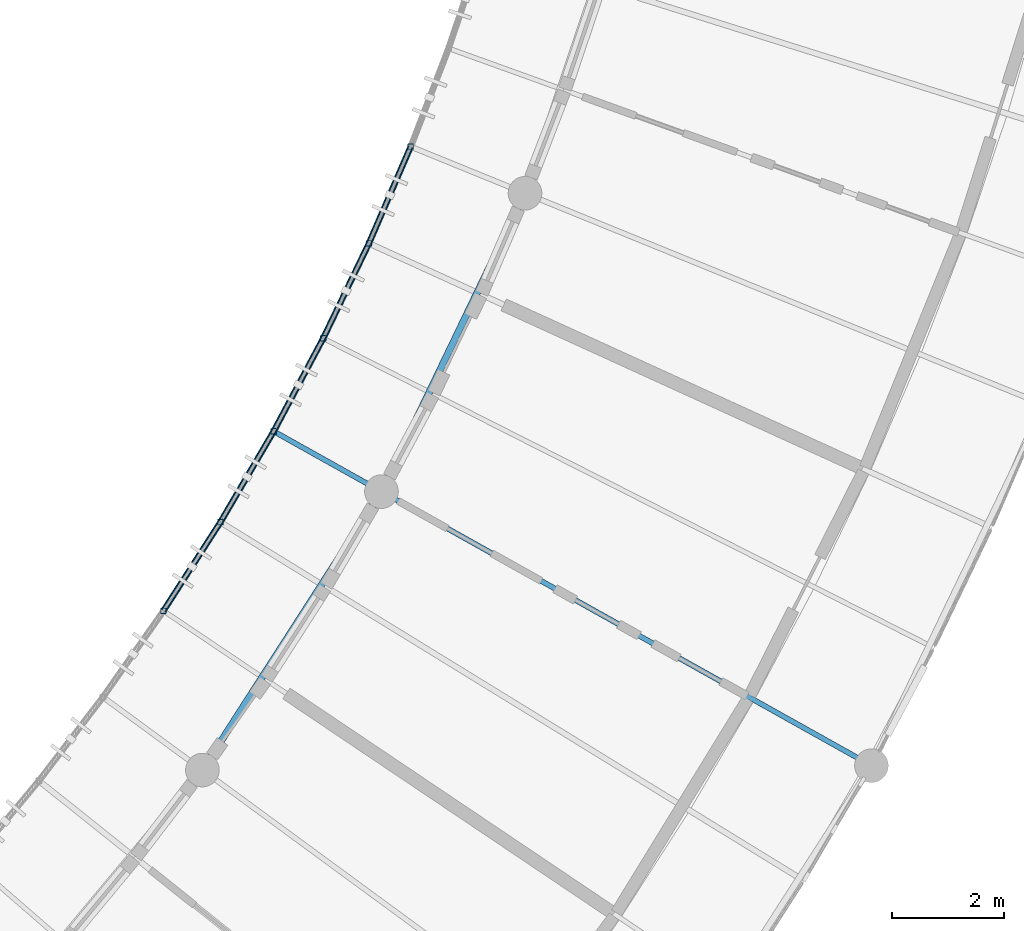
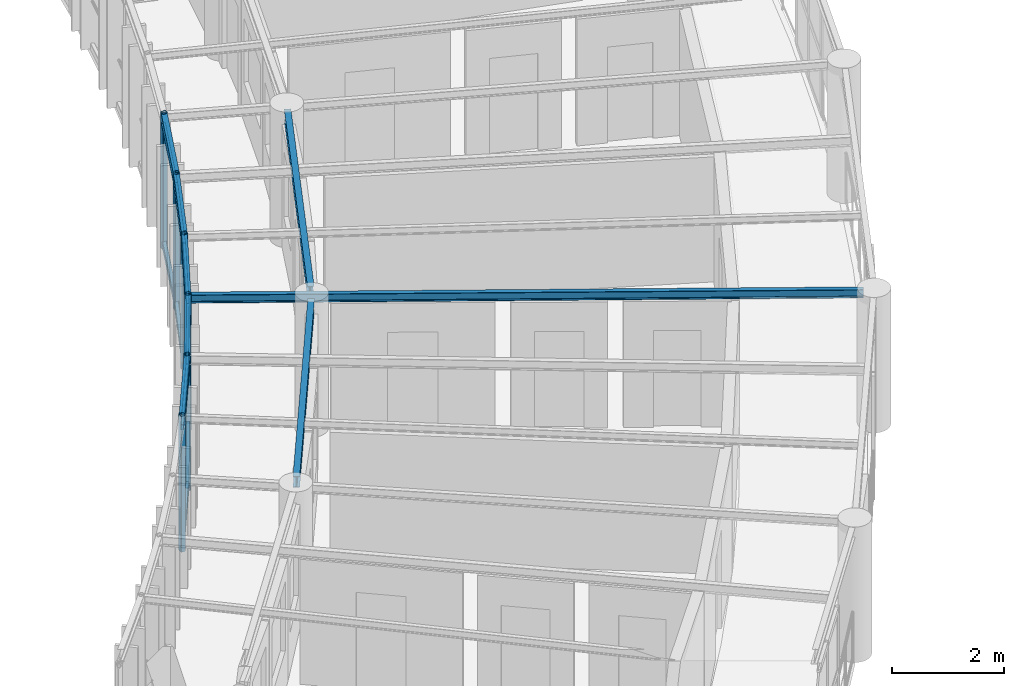
# One storey, part 14 of 101: 16 members, 8 beams.
"""IFC4 building model written with IfcOpenShell, lengths in metres."""

from ifc_helpers import new_model, si_unit, direction, frame, origin, origin_2d, place, context, subcontext, project, spatial, hollow_rectangle, i_section, extrude, material, material_profile, profile_set, type_object, element, save


model = new_model("IFC4")

# Units and contexts
model_context = context("Model", 3, precision=1e-05, world=origin(), true_north=direction((0.0, 1.0)))
body_context = subcontext(model_context, "Body", "Model", "MODEL_VIEW")
ifc_project = project(units=[si_unit("LENGTHUNIT", "METRE"), si_unit("AREAUNIT", "SQUARE_METRE"), si_unit("VOLUMEUNIT", "CUBIC_METRE"), si_unit("PLANEANGLEUNIT", "RADIAN"), si_unit("MASSUNIT", "GRAM", prefix="KILO"), si_unit("POWERUNIT", "WATT"), si_unit("THERMODYNAMICTEMPERATUREUNIT", "KELVIN")], contexts=[model_context])

# Site, building, storey
site_placement = place(None, origin())
site = spatial("IfcSite", under=ifc_project, at=site_placement, CompositionType="ELEMENT")
building_placement = place(site_placement, origin())
building = spatial("IfcBuilding", under=site, at=building_placement, Name="Ruvembo Vaulted Housing Court", CompositionType="ELEMENT")
storey_placement = place(building_placement, frame((0.0, 0.0, 17.300048828125)))
storey = spatial("IfcBuildingStorey", under=building, at=storey_placement, Name="L05", CompositionType="ELEMENT", Elevation=17.300048828125)

# Beams
ifc_material = material(Name="Steel S355J2", Category="steel")
ifc_material_profile_1 = material_profile(ifc_material, i_section(OverallWidth=0.091064453125, OverallDepth=0.179931640625, WebThickness=0.00537109375, FlangeThickness=0.008056640625, FilletRadius=0.009033203125, at=origin_2d()), Name="IPE 180")
ifc_profile_set_1 = profile_set([ifc_material_profile_1], Name="Steel S355J2")
beam_type_1 = type_object("IfcBeamType", Name="BM-ST-IPE180", PredefinedType="JOIST", material=ifc_profile_set_1)
beam_1_placement = place(storey_placement, frame((52.455078125, 45.781494140625, 2.842041015625), z_axis=(-0.872779506207, 0.488114672537, 0.0), x_axis=(-0.488114672537, -0.872779506207, 0.0)))
element("IfcBeam", 1, at=beam_1_placement, inside=storey, type_object=beam_type_1, Name="Scoop SC1 L05 Radial Steel Joist 6", PredefinedType="JOIST", context=body_context, shape_type="SweptSolid", body=[
    extrude(i_section(OverallWidth=0.091064453125, OverallDepth=0.179931640625, WebThickness=0.00537109375, FlangeThickness=0.008056640625, FilletRadius=0.009033203125, at=origin_2d()), origin(), (0.0, 0.0, 1.0), 12.050048828125),
])
ifc_material_profile_2 = material_profile(ifc_material, i_section(OverallWidth=0.110107421875, OverallDepth=0.219970703125, WebThickness=0.005859375, FlangeThickness=0.00927734375, FilletRadius=0.011962890625, at=origin_2d()), Name="IPE 220")
ifc_profile_set_2 = profile_set([ifc_material_profile_2], Name="Steel S355J2")
beam_type_2 = type_object("IfcBeamType", Name="BM-ST-IPE220", PredefinedType="SPANDREL", material=ifc_profile_set_2)
beam_2_placement = place(storey_placement, frame((40.0087890625, 48.446533203125, 2.822021484375), z_axis=(0.540783890821, 0.841161567969, 0.0), x_axis=(-0.841161567969, 0.540783890821, 0.0)))
element("IfcBeam", 2, at=beam_2_placement, inside=storey, type_object=beam_type_2, Name="Scoop SC1 L05 Balcony Edge Spandrel 4", PredefinedType="SPANDREL", context=body_context, shape_type="SweptSolid", body=[
    extrude(i_section(OverallWidth=0.110107421875, OverallDepth=0.219970703125, WebThickness=0.005859375, FlangeThickness=0.00927734375, FilletRadius=0.011962890625, at=origin_2d()), origin(), (0.0, 0.0, 1.0), 1.876708984375),
])
beam_3_placement = place(storey_placement, frame((41.023681640625, 50.025146484375, 2.822021484375), z_axis=(0.505859733288, 0.862615748893, 0.0), x_axis=(-0.862615748893, 0.505859733288, 0.0)))
element("IfcBeam", 3, at=beam_3_placement, inside=storey, type_object=beam_type_2, Name="Scoop SC1 L05 Balcony Edge Spandrel 5", PredefinedType="SPANDREL", context=body_context, shape_type="SweptSolid", body=[
    extrude(i_section(OverallWidth=0.110107421875, OverallDepth=0.219970703125, WebThickness=0.005859375, FlangeThickness=0.00927734375, FilletRadius=0.011962890625, at=origin_2d()), origin(), (0.0, 0.0, 1.0), 1.87646484375),
])
beam_4_placement = place(storey_placement, frame((41.972900390625, 51.643798828125, 2.822021484375), z_axis=(0.470115552325, 0.882604876183, 0.0), x_axis=(-0.882604876183, 0.470115552325, 0.0)))
element("IfcBeam", 4, at=beam_4_placement, inside=storey, type_object=beam_type_2, Name="Scoop SC1 L05 Balcony Edge Spandrel 6", PredefinedType="SPANDREL", context=body_context, shape_type="SweptSolid", body=[
    extrude(i_section(OverallWidth=0.110107421875, OverallDepth=0.219970703125, WebThickness=0.005859375, FlangeThickness=0.00927734375, FilletRadius=0.011962890625, at=origin_2d()), origin(), (0.0, 0.0, 1.0), 1.876708984375),
])
for number, where, z_axis, x_axis, name in (
    (5, (42.855224609375, 53.30029296875, 2.822021484375), (0.433631756601, 0.901090172883, 0.0), (-0.901090172883, 0.433631756601, 0.0), "Scoop SC1 L05 Balcony Edge Spandrel 7"),
    (6, (43.6689453125, 54.9912109375, 2.822021484375), (0.396288974503, 0.918125834887, 0.0), (-0.918125834887, 0.396288974503, 0.0), "Scoop SC1 L05 Balcony Edge Spandrel 8"),
):
    element("IfcBeam", number, at=place(storey_placement, frame(where, z_axis=z_axis, x_axis=x_axis)), inside=storey, type_object=beam_type_2, Name=name, PredefinedType="SPANDREL", context=body_context, shape_type="SweptSolid", body=[
        extrude(i_section(OverallWidth=0.110107421875, OverallDepth=0.219970703125, WebThickness=0.005859375, FlangeThickness=0.00927734375, FilletRadius=0.011962890625, at=origin_2d()), origin(), (0.0, 0.0, 1.0), 1.87646484375),
    ])
ifc_material_profile_3 = material_profile(ifc_material, i_section(OverallWidth=0.1201171875, OverallDepth=0.239990234375, WebThickness=0.006103515625, FlangeThickness=0.009765625, FilletRadius=0.014892578125, at=origin_2d()), Name="IPE 240")
ifc_profile_set_3 = profile_set([ifc_material_profile_3], Name="Steel S355J2")
beam_type_3 = type_object("IfcBeamType", Name="BM-ST-IPE240", PredefinedType="BEAM", material=ifc_profile_set_3)
beam_5_placement = place(storey_placement, frame((40.806884765625, 45.76953125, 2.81396484375), z_axis=(0.540775484227, 0.84116697252, 0.0), x_axis=(-0.84116697252, 0.540775484227, 0.0)))
element("IfcBeam", 7, at=beam_5_placement, inside=storey, type_object=beam_type_3, Name="Scoop SC1 L05 Chord Girder F3", PredefinedType="BEAM", context=body_context, shape_type="SweptSolid", body=[
    extrude(i_section(OverallWidth=0.1201171875, OverallDepth=0.239990234375, WebThickness=0.006103515625, FlangeThickness=0.009765625, FilletRadius=0.014892578125, at=origin_2d()), origin(), (0.0, 0.0, 1.0), 5.516845703125),
])
beam_6_placement = place(storey_placement, frame((43.9755859375, 50.7412109375, 2.81396484375), z_axis=(0.433585422929, 0.901112468576, 0.0), x_axis=(-0.901112468576, 0.433585422929, 0.0)))
element("IfcBeam", 8, at=beam_6_placement, inside=storey, type_object=beam_type_3, Name="Scoop SC1 L05 Chord Girder F6", PredefinedType="BEAM", context=body_context, shape_type="SweptSolid", body=[
    extrude(i_section(OverallWidth=0.1201171875, OverallDepth=0.239990234375, WebThickness=0.006103515625, FlangeThickness=0.009765625, FilletRadius=0.014892578125, at=origin_2d()), origin(), (0.0, 0.0, 1.0), 5.51708984375),
])

# Members
ifc_material_profile_4 = material_profile(ifc_material, hollow_rectangle(XDim=0.06005859375, YDim=0.1201171875, WallThickness=0.0048828125, InnerFilletRadius=0.0048828125, OuterFilletRadius=0.010009765625, at=origin_2d()), Name="RHS 120x60x5")
ifc_profile_set_4 = profile_set([ifc_material_profile_4], Name="Steel S355J2")
member_type_1 = type_object("IfcMemberType", Name="MEM-CAR-RHS120", PredefinedType="CHORD", material=ifc_profile_set_4)
member_1_placement = place(storey_placement, frame((40.0087890625, 48.446533203125, 2.655029296875), z_axis=(0.540783890821, 0.841161567969, 0.0), x_axis=(-0.841161567969, 0.540783890821, 0.0)))
element("IfcMember", 9, at=member_1_placement, inside=storey, type_object=member_type_1, Name="Scoop SC1 L05 Upper Louvre Carrier Rail 4", PredefinedType="CHORD", context=body_context, shape_type="SweptSolid", body=[
    extrude(hollow_rectangle(XDim=0.06005859375, YDim=0.1201171875, WallThickness=0.0048828125, InnerFilletRadius=0.0048828125, OuterFilletRadius=0.010009765625, at=origin_2d()), origin(), (0.0, 0.0, 1.0), 1.876708984375),
])
member_2_placement = place(storey_placement, frame((41.023681640625, 50.025146484375, 2.655029296875), z_axis=(0.505859733288, 0.862615748893, 0.0), x_axis=(-0.862615748893, 0.505859733288, 0.0)))
element("IfcMember", 10, at=member_2_placement, inside=storey, type_object=member_type_1, Name="Scoop SC1 L05 Upper Louvre Carrier Rail 5", PredefinedType="CHORD", context=body_context, shape_type="SweptSolid", body=[
    extrude(hollow_rectangle(XDim=0.06005859375, YDim=0.1201171875, WallThickness=0.0048828125, InnerFilletRadius=0.0048828125, OuterFilletRadius=0.010009765625, at=origin_2d()), origin(), (0.0, 0.0, 1.0), 1.87646484375),
])
member_3_placement = place(storey_placement, frame((41.972900390625, 51.643798828125, 2.655029296875), z_axis=(0.470115552325, 0.882604876183, 0.0), x_axis=(-0.882604876183, 0.470115552325, 0.0)))
element("IfcMember", 11, at=member_3_placement, inside=storey, type_object=member_type_1, Name="Scoop SC1 L05 Upper Louvre Carrier Rail 6", PredefinedType="CHORD", context=body_context, shape_type="SweptSolid", body=[
    extrude(hollow_rectangle(XDim=0.06005859375, YDim=0.1201171875, WallThickness=0.0048828125, InnerFilletRadius=0.0048828125, OuterFilletRadius=0.010009765625, at=origin_2d()), origin(), (0.0, 0.0, 1.0), 1.876708984375),
])
for number, where, z_axis, x_axis, name in (
    (12, (42.855224609375, 53.30029296875, 2.655029296875), (0.433631756601, 0.901090172883, 0.0), (-0.901090172883, 0.433631756601, 0.0), "Scoop SC1 L05 Upper Louvre Carrier Rail 7"),
    (13, (43.6689453125, 54.9912109375, 2.655029296875), (0.396288974503, 0.918125834887, 0.0), (-0.918125834887, 0.396288974503, 0.0), "Scoop SC1 L05 Upper Louvre Carrier Rail 8"),
):
    element("IfcMember", number, at=place(storey_placement, frame(where, z_axis=z_axis, x_axis=x_axis)), inside=storey, type_object=member_type_1, Name=name, PredefinedType="CHORD", context=body_context, shape_type="SweptSolid", body=[
        extrude(hollow_rectangle(XDim=0.06005859375, YDim=0.1201171875, WallThickness=0.0048828125, InnerFilletRadius=0.0048828125, OuterFilletRadius=0.010009765625, at=origin_2d()), origin(), (0.0, 0.0, 1.0), 1.87646484375),
    ])
ifc_material_profile_5 = material_profile(ifc_material, hollow_rectangle(XDim=0.080078125, YDim=0.14990234375, WallThickness=0.00634765625, InnerFilletRadius=0.00634765625, OuterFilletRadius=0.0126953125, at=origin_2d()), Name="RHS 150x80x6.3")
ifc_profile_set_5 = profile_set([ifc_material_profile_5], Name="Steel S355J2")
member_type_2 = type_object("IfcMemberType", Name="MEM-CAR-RHS150", PredefinedType="CHORD", material=ifc_profile_set_5)
member_4_placement = place(storey_placement, frame((40.0087890625, 48.446533203125, 0.094970703125), z_axis=(0.540783890821, 0.841161567969, 0.0), x_axis=(-0.841161567969, 0.540783890821, 0.0)))
element("IfcMember", 14, at=member_4_placement, inside=storey, type_object=member_type_2, Name="Scoop SC1 L05 Lower Louvre Carrier Rail 4", PredefinedType="CHORD", context=body_context, shape_type="SweptSolid", body=[
    extrude(hollow_rectangle(XDim=0.080078125, YDim=0.14990234375, WallThickness=0.00634765625, InnerFilletRadius=0.00634765625, OuterFilletRadius=0.0126953125, at=origin_2d()), origin(), (0.0, 0.0, 1.0), 1.876708984375),
])
member_5_placement = place(storey_placement, frame((41.023681640625, 50.025146484375, 0.094970703125), z_axis=(0.505859733288, 0.862615748893, 0.0), x_axis=(-0.862615748893, 0.505859733288, 0.0)))
element("IfcMember", 15, at=member_5_placement, inside=storey, type_object=member_type_2, Name="Scoop SC1 L05 Lower Louvre Carrier Rail 5", PredefinedType="CHORD", context=body_context, shape_type="SweptSolid", body=[
    extrude(hollow_rectangle(XDim=0.080078125, YDim=0.14990234375, WallThickness=0.00634765625, InnerFilletRadius=0.00634765625, OuterFilletRadius=0.0126953125, at=origin_2d()), origin(), (0.0, 0.0, 1.0), 1.87646484375),
])
member_6_placement = place(storey_placement, frame((41.972900390625, 51.643798828125, 0.094970703125), z_axis=(0.470115552325, 0.882604876183, 0.0), x_axis=(-0.882604876183, 0.470115552325, 0.0)))
element("IfcMember", 16, at=member_6_placement, inside=storey, type_object=member_type_2, Name="Scoop SC1 L05 Lower Louvre Carrier Rail 6", PredefinedType="CHORD", context=body_context, shape_type="SweptSolid", body=[
    extrude(hollow_rectangle(XDim=0.080078125, YDim=0.14990234375, WallThickness=0.00634765625, InnerFilletRadius=0.00634765625, OuterFilletRadius=0.0126953125, at=origin_2d()), origin(), (0.0, 0.0, 1.0), 1.876708984375),
])
for number, where, z_axis, x_axis, name in (
    (17, (42.855224609375, 53.30029296875, 0.094970703125), (0.433631756601, 0.901090172883, 0.0), (-0.901090172883, 0.433631756601, 0.0), "Scoop SC1 L05 Lower Louvre Carrier Rail 7"),
    (18, (43.6689453125, 54.9912109375, 0.094970703125), (0.396288974503, 0.918125834887, 0.0), (-0.918125834887, 0.396288974503, 0.0), "Scoop SC1 L05 Lower Louvre Carrier Rail 8"),
):
    element("IfcMember", number, at=place(storey_placement, frame(where, z_axis=z_axis, x_axis=x_axis)), inside=storey, type_object=member_type_2, Name=name, PredefinedType="CHORD", context=body_context, shape_type="SweptSolid", body=[
        extrude(hollow_rectangle(XDim=0.080078125, YDim=0.14990234375, WallThickness=0.00634765625, InnerFilletRadius=0.00634765625, OuterFilletRadius=0.0126953125, at=origin_2d()), origin(), (0.0, 0.0, 1.0), 1.87646484375),
    ])
ifc_material_profile_6 = material_profile(ifc_material, hollow_rectangle(XDim=0.10009765625, YDim=0.10009765625, WallThickness=0.00634765625, InnerFilletRadius=0.00634765625, OuterFilletRadius=0.0126953125, at=origin_2d()), Name="SHS 100x100x6.3")
ifc_profile_set_6 = profile_set([ifc_material_profile_6], Name="Steel S355J2")
member_type_3 = type_object("IfcMemberType", Name="MEM-FRM-SHS100", PredefinedType="STRUT", material=ifc_profile_set_6)
for number, where, z_axis, x_axis, name in (
    (19, (40.0087890625, 48.446533203125, -0.01513671875), (0.0, 0.0, 1.0), (1.0, 0.0, 0.0), "Scoop SC1 L05 Louvre Frame Post 4"),
    (20, (41.023681640625, 50.025146484375, -0.01513671875), (0.0, 0.0, 1.0), (1.0, 0.0, 0.0), "Scoop SC1 L05 Louvre Frame Post 5"),
    (21, (41.972900390625, 51.643798828125, -0.01513671875), (0.0, 0.0, 1.0), (1.0, 0.0, 0.0), "Scoop SC1 L05 Louvre Frame Post 6"),
    (22, (42.855224609375, 53.30029296875, -0.01513671875), (0.0, 0.0, 1.0), (1.0, 0.0, 0.0), "Scoop SC1 L05 Louvre Frame Post 7"),
    (23, (43.6689453125, 54.9912109375, -0.01513671875), (0.0, 0.0, 1.0), (1.0, 0.0, 0.0), "Scoop SC1 L05 Louvre Frame Post 8"),
    (24, (44.41259765625, 56.714111328125, -0.01513671875), (0.0, 0.0, 1.0), (1.0, 0.0, 0.0), "Scoop SC1 L05 Louvre Frame Post 9"),
):
    element("IfcMember", number, at=place(storey_placement, frame(where, z_axis=z_axis, x_axis=x_axis)), inside=storey, type_object=member_type_3, Name=name, PredefinedType="STRUT", context=body_context, shape_type="SweptSolid", body=[
        extrude(hollow_rectangle(XDim=0.10009765625, YDim=0.10009765625, WallThickness=0.00634765625, InnerFilletRadius=0.00634765625, OuterFilletRadius=0.0126953125, at=origin_2d()), origin(), (0.0, 0.0, 1.0), 2.953125),
    ])

save(model, "model.ifc")
